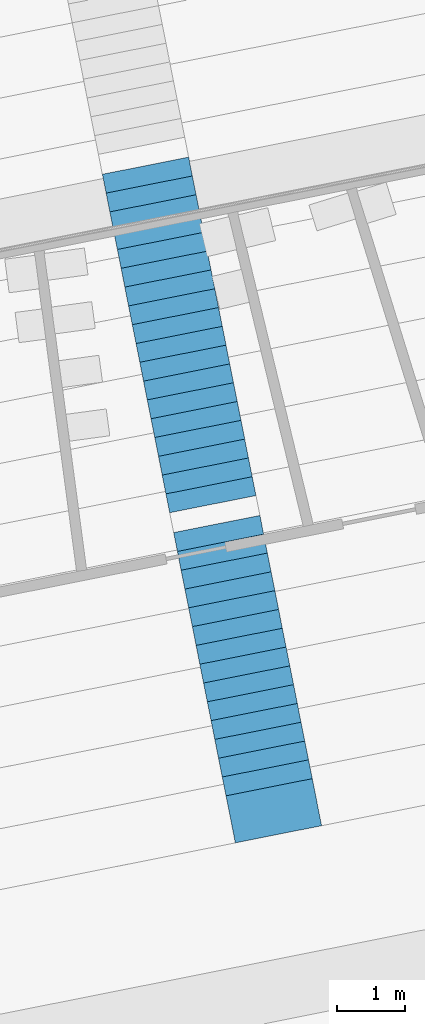
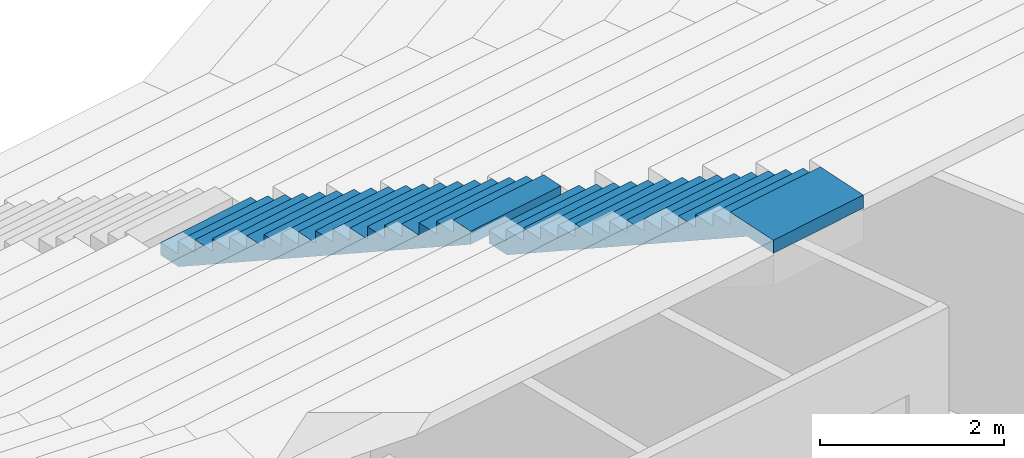
# One storey, part 156 of 249: 2 stair flights, 1 element without a shape of its own.
"""IFC4 building model written with IfcOpenShell, lengths in metres."""

from ifc_helpers import new_model, si_unit, direction, frame, origin, place, context, subcontext, project, spatial, faceted_brep, material, type_object, element, aggregate, save


model = new_model("IFC4")

# Units and contexts
model_context = context("Model", 3, precision=1e-05, world=origin(), true_north=direction((0.0, 1.0)))
body_context = subcontext(model_context, "Body", "Model", "MODEL_VIEW")
ifc_project = project(units=[si_unit("LENGTHUNIT", "METRE"), si_unit("AREAUNIT", "SQUARE_METRE"), si_unit("VOLUMEUNIT", "CUBIC_METRE"), si_unit("PLANEANGLEUNIT", "RADIAN"), si_unit("MASSUNIT", "GRAM", prefix="KILO")], contexts=[model_context])

# Site, building, storey
site_placement = place(None, origin())
site = spatial("IfcSite", under=ifc_project, at=site_placement, CompositionType="ELEMENT")
building_placement = place(site_placement, origin())
building = spatial("IfcBuilding", under=site, at=building_placement, Name="Ogive Plaza Stadium", CompositionType="ELEMENT")
storey_placement = place(building_placement, frame((0.0, 0.0, 13.5)))
storey = spatial("IfcBuildingStorey", under=building, at=storey_placement, Name="L03", CompositionType="ELEMENT", Elevation=13.5)

# Stair, stair flights
ifc_material_1 = material(Name="Concrete C40/50", Category="concrete")
stair_type = type_object("IfcStairType", Name="Aisle stair", PredefinedType="STRAIGHT_RUN_STAIR", material=ifc_material_1)
stair_placement = place(storey_placement, origin())
stair = element("IfcStair", 1, at=stair_placement, inside=storey, type_object=stair_type, Name="Aisle stair SA11U", PredefinedType="STRAIGHT_RUN_STAIR")
ifc_material_2 = material(Name="Concrete C40/50", Category="concrete")
stair_flight_type = type_object("IfcStairFlightType", Name="Aisle stair flight", PredefinedType="STRAIGHT", material=ifc_material_2)
stair_flight_1_placement = place(storey_placement, frame((39.248046875, -78.883056640625, 3.5), z_axis=(0.0, 0.0, 1.0), x_axis=(0.195090322016, -0.980785280403, 0.0)))
stair_flight_1 = element("IfcStairFlight", 2, at=stair_flight_1_placement, type_object=stair_flight_type, Name="SA11U flight 2", NumberOfRisers=18, NumberOfTreads=17, PredefinedType="STRAIGHT", RiserHeight=0.166666667, TreadLength=0.283333333, context=body_context, shape_type="Brep", body=[
    faceted_brep([(0.295654296875, -0.64990234375, 0.0), (5.10009765625, -0.64990234375, 2.826171875), (5.10009765625, -0.64990234375, 3.0), (4.816650390625, -0.64990234375, 3.0), (4.816650390625, -0.64990234375, 2.833251953125), (4.533447265625, -0.64990234375, 2.833251953125), (4.533447265625, -0.64990234375, 2.666748046875), (4.25, -0.64990234375, 2.666748046875), (4.25, -0.64990234375, 2.5), (3.966552734375, -0.64990234375, 2.5), (3.966552734375, -0.64990234375, 2.333251953125), (3.683349609375, -0.64990234375, 2.333251953125), (3.683349609375, -0.64990234375, 2.166748046875), (3.39990234375, -0.64990234375, 2.166748046875), (3.39990234375, -0.64990234375, 2.0), (3.11669921875, -0.64990234375, 2.0), (3.11669921875, -0.64990234375, 1.833251953125), (2.833251953125, -0.64990234375, 1.833251953125), (2.833251953125, -0.64990234375, 1.666748046875), (2.550048828125, -0.64990234375, 1.666748046875), (2.550048828125, -0.64990234375, 1.5), (2.2666015625, -0.64990234375, 1.5), (2.2666015625, -0.64990234375, 1.333251953125), (1.9833984375, -0.64990234375, 1.333251953125), (1.9833984375, -0.64990234375, 1.166748046875), (1.699951171875, -0.64990234375, 1.166748046875), (1.699951171875, -0.64990234375, 1.0), (1.416748046875, -0.64990234375, 1.0), (1.416748046875, -0.64990234375, 0.833251953125), (1.13330078125, -0.64990234375, 0.833251953125), (1.13330078125, -0.64990234375, 0.666748046875), (0.85009765625, -0.64990234375, 0.666748046875), (0.85009765625, -0.64990234375, 0.5), (0.566650390625, -0.64990234375, 0.5), (0.566650390625, -0.64990234375, 0.333251953125), (0.283447265625, -0.64990234375, 0.333251953125), (0.283447265625, -0.64990234375, 0.166748046875), (0.0, -0.64990234375, 0.166748046875), (0.0, -0.64990234375, 0.0), (0.0, 0.64990234375, 0.0), (0.0, 0.64990234375, 0.166748046875), (0.283447265625, 0.64990234375, 0.166748046875), (0.283447265625, 0.64990234375, 0.333251953125), (0.566650390625, 0.64990234375, 0.333251953125), (0.566650390625, 0.64990234375, 0.5), (0.85009765625, 0.64990234375, 0.5), (0.85009765625, 0.64990234375, 0.666748046875), (1.13330078125, 0.64990234375, 0.666748046875), (1.13330078125, 0.64990234375, 0.833251953125), (1.416748046875, 0.64990234375, 0.833251953125), (1.416748046875, 0.64990234375, 1.0), (1.699951171875, 0.64990234375, 1.0), (1.699951171875, 0.64990234375, 1.166748046875), (1.9833984375, 0.64990234375, 1.166748046875), (1.9833984375, 0.64990234375, 1.333251953125), (2.2666015625, 0.64990234375, 1.333251953125), (2.2666015625, 0.64990234375, 1.5), (2.550048828125, 0.64990234375, 1.5), (2.550048828125, 0.64990234375, 1.666748046875), (2.833251953125, 0.64990234375, 1.666748046875), (2.833251953125, 0.64990234375, 1.833251953125), (3.11669921875, 0.64990234375, 1.833251953125), (3.11669921875, 0.64990234375, 2.0), (3.39990234375, 0.64990234375, 2.0), (3.39990234375, 0.64990234375, 2.166748046875), (3.683349609375, 0.64990234375, 2.166748046875), (3.683349609375, 0.64990234375, 2.333251953125), (3.966552734375, 0.64990234375, 2.333251953125), (3.966552734375, 0.64990234375, 2.5), (4.25, 0.64990234375, 2.5), (4.25, 0.64990234375, 2.666748046875), (4.533447265625, 0.64990234375, 2.666748046875), (4.533447265625, 0.64990234375, 2.833251953125), (4.816650390625, 0.64990234375, 2.833251953125), (4.816650390625, 0.64990234375, 3.0), (5.10009765625, 0.64990234375, 3.0), (5.10009765625, 0.64990234375, 2.826171875), (0.295654296875, 0.64990234375, 0.0), (0.295654296875, -0.324951171875, 0.0), (5.10009765625, -0.324951171875, 2.826171875), (0.295654296875, 0.0, 0.0), (5.10009765625, 0.0, 2.826171875), (0.295654296875, 0.324951171875, 0.0), (5.10009765625, 0.324951171875, 2.826171875), (5.10009765625, -0.324951171875, 3.0), (5.10009765625, 0.0, 3.0), (5.10009765625, 0.324951171875, 3.0), (4.816650390625, -0.324951171875, 3.0), (4.816650390625, 0.0, 3.0), (4.816650390625, 0.324951171875, 3.0), (4.816650390625, -0.324951171875, 2.833251953125), (4.816650390625, 0.0, 2.833251953125), (4.816650390625, 0.324951171875, 2.833251953125), (4.533447265625, -0.324951171875, 2.833251953125), (4.533447265625, 0.0, 2.833251953125), (4.533447265625, 0.324951171875, 2.833251953125), (4.533447265625, -0.324951171875, 2.666748046875), (4.533447265625, 0.0, 2.666748046875), (4.533447265625, 0.324951171875, 2.666748046875), (4.25, -0.324951171875, 2.666748046875), (4.25, 0.0, 2.666748046875), (4.25, 0.324951171875, 2.666748046875), (4.25, -0.324951171875, 2.5), (4.25, 0.0, 2.5), (4.25, 0.324951171875, 2.5), (3.966552734375, -0.324951171875, 2.5), (3.966552734375, 0.0, 2.5), (3.966552734375, 0.324951171875, 2.5), (3.966552734375, -0.324951171875, 2.333251953125), (3.966552734375, 0.0, 2.333251953125), (3.966552734375, 0.324951171875, 2.333251953125), (3.683349609375, -0.324951171875, 2.333251953125), (3.683349609375, 0.0, 2.333251953125), (3.683349609375, 0.324951171875, 2.333251953125), (3.683349609375, -0.324951171875, 2.166748046875), (3.683349609375, 0.0, 2.166748046875), (3.683349609375, 0.324951171875, 2.166748046875), (3.39990234375, -0.324951171875, 2.166748046875), (3.39990234375, 0.0, 2.166748046875), (3.39990234375, 0.324951171875, 2.166748046875), (3.39990234375, -0.324951171875, 2.0), (3.39990234375, 0.0, 2.0), (3.39990234375, 0.324951171875, 2.0), (3.11669921875, -0.324951171875, 2.0), (3.11669921875, 0.0, 2.0), (3.11669921875, 0.324951171875, 2.0), (3.11669921875, -0.324951171875, 1.833251953125), (3.11669921875, 0.0, 1.833251953125), (3.11669921875, 0.324951171875, 1.833251953125), (2.833251953125, -0.324951171875, 1.833251953125), (2.833251953125, 0.0, 1.833251953125), (2.833251953125, 0.324951171875, 1.833251953125), (2.833251953125, -0.324951171875, 1.666748046875), (2.833251953125, 0.0, 1.666748046875), (2.833251953125, 0.324951171875, 1.666748046875), (2.550048828125, -0.324951171875, 1.666748046875), (2.550048828125, 0.0, 1.666748046875), (2.550048828125, 0.324951171875, 1.666748046875), (2.550048828125, -0.324951171875, 1.5), (2.550048828125, 0.0, 1.5), (2.550048828125, 0.324951171875, 1.5), (2.2666015625, -0.324951171875, 1.5), (2.2666015625, 0.0, 1.5), (2.2666015625, 0.324951171875, 1.5), (2.2666015625, -0.324951171875, 1.333251953125), (2.2666015625, 0.0, 1.333251953125), (2.2666015625, 0.324951171875, 1.333251953125), (1.9833984375, -0.324951171875, 1.333251953125), (1.9833984375, 0.0, 1.333251953125), (1.9833984375, 0.324951171875, 1.333251953125), (1.9833984375, -0.324951171875, 1.166748046875), (1.9833984375, 0.0, 1.166748046875), (1.9833984375, 0.324951171875, 1.166748046875), (1.699951171875, -0.324951171875, 1.166748046875), (1.699951171875, 0.0, 1.166748046875), (1.699951171875, 0.324951171875, 1.166748046875), (1.699951171875, -0.324951171875, 1.0), (1.699951171875, 0.0, 1.0), (1.699951171875, 0.324951171875, 1.0), (1.416748046875, -0.324951171875, 1.0), (1.416748046875, 0.0, 1.0), (1.416748046875, 0.324951171875, 1.0), (1.416748046875, -0.324951171875, 0.833251953125), (1.416748046875, 0.0, 0.833251953125), (1.416748046875, 0.324951171875, 0.833251953125), (1.13330078125, -0.324951171875, 0.833251953125), (1.13330078125, 0.0, 0.833251953125), (1.13330078125, 0.324951171875, 0.833251953125), (1.13330078125, -0.324951171875, 0.666748046875), (1.13330078125, 0.0, 0.666748046875), (1.13330078125, 0.324951171875, 0.666748046875), (0.85009765625, -0.324951171875, 0.666748046875), (0.85009765625, 0.0, 0.666748046875), (0.85009765625, 0.324951171875, 0.666748046875), (0.85009765625, -0.324951171875, 0.5), (0.85009765625, 0.0, 0.5), (0.85009765625, 0.324951171875, 0.5), (0.566650390625, -0.324951171875, 0.5), (0.566650390625, 0.0, 0.5), (0.566650390625, 0.324951171875, 0.5), (0.566650390625, -0.324951171875, 0.333251953125), (0.566650390625, 0.0, 0.333251953125), (0.566650390625, 0.324951171875, 0.333251953125), (0.283447265625, -0.324951171875, 0.333251953125), (0.283447265625, 0.0, 0.333251953125), (0.283447265625, 0.324951171875, 0.333251953125), (0.283447265625, -0.324951171875, 0.166748046875), (0.283447265625, 0.0, 0.166748046875), (0.283447265625, 0.324951171875, 0.166748046875), (0.0, -0.324951171875, 0.166748046875), (0.0, 0.0, 0.166748046875), (0.0, 0.324951171875, 0.166748046875), (0.0, -0.324951171875, 0.0), (0.0, 0.0, 0.0), (0.0, 0.324951171875, 0.0)], [[[0, 1, 2, 3, 4, 5, 6, 7, 8, 9, 10, 11, 12, 13, 14, 15, 16, 17, 18, 19, 20, 21, 22, 23, 24, 25, 26, 27, 28, 29, 30, 31, 32, 33, 34, 35, 36, 37, 38]], [[39, 40, 41, 42, 43, 44, 45, 46, 47, 48, 49, 50, 51, 52, 53, 54, 55, 56, 57, 58, 59, 60, 61, 62, 63, 64, 65, 66, 67, 68, 69, 70, 71, 72, 73, 74, 75, 76, 77]], [[0, 78, 79, 1]], [[78, 80, 81, 79]], [[80, 82, 83, 81]], [[82, 77, 76, 83]], [[1, 79, 84, 2]], [[79, 81, 85, 84]], [[81, 83, 86, 85]], [[83, 76, 75, 86]], [[2, 84, 87, 3]], [[84, 85, 88, 87]], [[85, 86, 89, 88]], [[86, 75, 74, 89]], [[3, 87, 90, 4]], [[87, 88, 91, 90]], [[88, 89, 92, 91]], [[89, 74, 73, 92]], [[4, 90, 93, 5]], [[90, 91, 94, 93]], [[91, 92, 95, 94]], [[92, 73, 72, 95]], [[5, 93, 96, 6]], [[93, 94, 97, 96]], [[94, 95, 98, 97]], [[95, 72, 71, 98]], [[6, 96, 99, 7]], [[96, 97, 100, 99]], [[97, 98, 101, 100]], [[98, 71, 70, 101]], [[7, 99, 102, 8]], [[99, 100, 103, 102]], [[100, 101, 104, 103]], [[101, 70, 69, 104]], [[8, 102, 105, 9]], [[102, 103, 106, 105]], [[103, 104, 107, 106]], [[104, 69, 68, 107]], [[9, 105, 108, 10]], [[105, 106, 109, 108]], [[106, 107, 110, 109]], [[107, 68, 67, 110]], [[10, 108, 111, 11]], [[108, 109, 112, 111]], [[109, 110, 113, 112]], [[110, 67, 66, 113]], [[11, 111, 114, 12]], [[111, 112, 115, 114]], [[112, 113, 116, 115]], [[113, 66, 65, 116]], [[12, 114, 117, 13]], [[114, 115, 118, 117]], [[115, 116, 119, 118]], [[116, 65, 64, 119]], [[13, 117, 120, 14]], [[117, 118, 121, 120]], [[118, 119, 122, 121]], [[119, 64, 63, 122]], [[14, 120, 123, 15]], [[120, 121, 124, 123]], [[121, 122, 125, 124]], [[122, 63, 62, 125]], [[15, 123, 126, 16]], [[123, 124, 127, 126]], [[124, 125, 128, 127]], [[125, 62, 61, 128]], [[16, 126, 129, 17]], [[126, 127, 130, 129]], [[127, 128, 131, 130]], [[128, 61, 60, 131]], [[17, 129, 132, 18]], [[129, 130, 133, 132]], [[130, 131, 134, 133]], [[131, 60, 59, 134]], [[18, 132, 135, 19]], [[132, 133, 136, 135]], [[133, 134, 137, 136]], [[134, 59, 58, 137]], [[19, 135, 138, 20]], [[135, 136, 139, 138]], [[136, 137, 140, 139]], [[137, 58, 57, 140]], [[20, 138, 141, 21]], [[138, 139, 142, 141]], [[139, 140, 143, 142]], [[140, 57, 56, 143]], [[21, 141, 144, 22]], [[141, 142, 145, 144]], [[142, 143, 146, 145]], [[143, 56, 55, 146]], [[22, 144, 147, 23]], [[144, 145, 148, 147]], [[145, 146, 149, 148]], [[146, 55, 54, 149]], [[23, 147, 150, 24]], [[147, 148, 151, 150]], [[148, 149, 152, 151]], [[149, 54, 53, 152]], [[24, 150, 153, 25]], [[150, 151, 154, 153]], [[151, 152, 155, 154]], [[152, 53, 52, 155]], [[25, 153, 156, 26]], [[153, 154, 157, 156]], [[154, 155, 158, 157]], [[155, 52, 51, 158]], [[26, 156, 159, 27]], [[156, 157, 160, 159]], [[157, 158, 161, 160]], [[158, 51, 50, 161]], [[27, 159, 162, 28]], [[159, 160, 163, 162]], [[160, 161, 164, 163]], [[161, 50, 49, 164]], [[28, 162, 165, 29]], [[162, 163, 166, 165]], [[163, 164, 167, 166]], [[164, 49, 48, 167]], [[29, 165, 168, 30]], [[165, 166, 169, 168]], [[166, 167, 170, 169]], [[167, 48, 47, 170]], [[30, 168, 171, 31]], [[168, 169, 172, 171]], [[169, 170, 173, 172]], [[170, 47, 46, 173]], [[31, 171, 174, 32]], [[171, 172, 175, 174]], [[172, 173, 176, 175]], [[173, 46, 45, 176]], [[32, 174, 177, 33]], [[174, 175, 178, 177]], [[175, 176, 179, 178]], [[176, 45, 44, 179]], [[33, 177, 180, 34]], [[177, 178, 181, 180]], [[178, 179, 182, 181]], [[179, 44, 43, 182]], [[34, 180, 183, 35]], [[180, 181, 184, 183]], [[181, 182, 185, 184]], [[182, 43, 42, 185]], [[35, 183, 186, 36]], [[183, 184, 187, 186]], [[184, 185, 188, 187]], [[185, 42, 41, 188]], [[36, 186, 189, 37]], [[186, 187, 190, 189]], [[187, 188, 191, 190]], [[188, 41, 40, 191]], [[37, 189, 192, 38]], [[189, 190, 193, 192]], [[190, 191, 194, 193]], [[191, 40, 39, 194]], [[38, 192, 78, 0]], [[192, 193, 80, 78]], [[193, 194, 82, 80]], [[194, 39, 77, 82]]]),
])
stair_flight_2_placement = place(storey_placement, frame((40.301513671875, -84.179443359375, 6.5), z_axis=(0.0, 0.0, 1.0), x_axis=(0.195090322016, -0.980785280403, 0.0)))
stair_flight_2 = element("IfcStairFlight", 3, at=stair_flight_2_placement, type_object=stair_flight_type, Name="SA11U flight 3", NumberOfRisers=15, NumberOfTreads=14, PredefinedType="STRAIGHT", RiserHeight=0.166666667, TreadLength=0.283333333, context=body_context, shape_type="Brep", body=[
    faceted_brep([(0.295654296875, -0.64990234375, 0.0), (4.25, -0.64990234375, 2.326171875), (4.675537109375, -0.64990234375, 2.326171875), (4.675537109375, -0.64990234375, 2.5), (3.966552734375, -0.64990234375, 2.5), (3.966552734375, -0.64990234375, 2.333251953125), (3.683349609375, -0.64990234375, 2.333251953125), (3.683349609375, -0.64990234375, 2.166748046875), (3.39990234375, -0.64990234375, 2.166748046875), (3.39990234375, -0.64990234375, 2.0), (3.11669921875, -0.64990234375, 2.0), (3.11669921875, -0.64990234375, 1.833251953125), (2.833251953125, -0.64990234375, 1.833251953125), (2.833251953125, -0.64990234375, 1.666748046875), (2.550048828125, -0.64990234375, 1.666748046875), (2.550048828125, -0.64990234375, 1.5), (2.2666015625, -0.64990234375, 1.5), (2.2666015625, -0.64990234375, 1.333251953125), (1.9833984375, -0.64990234375, 1.333251953125), (1.9833984375, -0.64990234375, 1.166748046875), (1.699951171875, -0.64990234375, 1.166748046875), (1.699951171875, -0.64990234375, 1.0), (1.416748046875, -0.64990234375, 1.0), (1.416748046875, -0.64990234375, 0.833251953125), (1.13330078125, -0.64990234375, 0.833251953125), (1.13330078125, -0.64990234375, 0.666748046875), (0.85009765625, -0.64990234375, 0.666748046875), (0.85009765625, -0.64990234375, 0.5), (0.566650390625, -0.64990234375, 0.5), (0.566650390625, -0.64990234375, 0.333251953125), (0.283447265625, -0.64990234375, 0.333251953125), (0.283447265625, -0.64990234375, 0.166748046875), (0.0, -0.64990234375, 0.166748046875), (0.0, -0.64990234375, 0.0), (0.0, 0.64990234375, 0.0), (0.0, 0.64990234375, 0.166748046875), (0.283447265625, 0.64990234375, 0.166748046875), (0.283447265625, 0.64990234375, 0.333251953125), (0.566650390625, 0.64990234375, 0.333251953125), (0.566650390625, 0.64990234375, 0.5), (0.85009765625, 0.64990234375, 0.5), (0.85009765625, 0.64990234375, 0.666748046875), (1.13330078125, 0.64990234375, 0.666748046875), (1.13330078125, 0.64990234375, 0.833251953125), (1.416748046875, 0.64990234375, 0.833251953125), (1.416748046875, 0.64990234375, 1.0), (1.699951171875, 0.64990234375, 1.0), (1.699951171875, 0.64990234375, 1.166748046875), (1.9833984375, 0.64990234375, 1.166748046875), (1.9833984375, 0.64990234375, 1.333251953125), (2.2666015625, 0.64990234375, 1.333251953125), (2.2666015625, 0.64990234375, 1.5), (2.550048828125, 0.64990234375, 1.5), (2.550048828125, 0.64990234375, 1.666748046875), (2.833251953125, 0.64990234375, 1.666748046875), (2.833251953125, 0.64990234375, 1.833251953125), (3.11669921875, 0.64990234375, 1.833251953125), (3.11669921875, 0.64990234375, 2.0), (3.39990234375, 0.64990234375, 2.0), (3.39990234375, 0.64990234375, 2.166748046875), (3.683349609375, 0.64990234375, 2.166748046875), (3.683349609375, 0.64990234375, 2.333251953125), (3.966552734375, 0.64990234375, 2.333251953125), (3.966552734375, 0.64990234375, 2.5), (4.675537109375, 0.64990234375, 2.5), (4.675537109375, 0.64990234375, 2.326171875), (4.25, 0.64990234375, 2.326171875), (0.295654296875, 0.64990234375, 0.0), (0.295654296875, -0.324951171875, 0.0), (4.25, -0.324951171875, 2.326171875), (0.295654296875, 0.0, 0.0), (4.25, 0.0, 2.326171875), (0.295654296875, 0.324951171875, 0.0), (4.25, 0.324951171875, 2.326171875), (4.675537109375, -0.324951171875, 2.326171875), (4.675537109375, 0.0, 2.326171875), (4.675537109375, 0.324951171875, 2.326171875), (4.675537109375, -0.324951171875, 2.5), (4.675537109375, 0.0, 2.5), (4.675537109375, 0.324951171875, 2.5), (3.966552734375, -0.324951171875, 2.5), (3.966552734375, 0.0, 2.5), (3.966552734375, 0.324951171875, 2.5), (3.966552734375, -0.324951171875, 2.333251953125), (3.966552734375, 0.0, 2.333251953125), (3.966552734375, 0.324951171875, 2.333251953125), (3.683349609375, -0.324951171875, 2.333251953125), (3.683349609375, 0.0, 2.333251953125), (3.683349609375, 0.324951171875, 2.333251953125), (3.683349609375, -0.324951171875, 2.166748046875), (3.683349609375, 0.0, 2.166748046875), (3.683349609375, 0.324951171875, 2.166748046875), (3.39990234375, -0.324951171875, 2.166748046875), (3.39990234375, 0.0, 2.166748046875), (3.39990234375, 0.324951171875, 2.166748046875), (3.39990234375, -0.324951171875, 2.0), (3.39990234375, 0.0, 2.0), (3.39990234375, 0.324951171875, 2.0), (3.11669921875, -0.324951171875, 2.0), (3.11669921875, 0.0, 2.0), (3.11669921875, 0.324951171875, 2.0), (3.11669921875, -0.324951171875, 1.833251953125), (3.11669921875, 0.0, 1.833251953125), (3.11669921875, 0.324951171875, 1.833251953125), (2.833251953125, -0.324951171875, 1.833251953125), (2.833251953125, 0.0, 1.833251953125), (2.833251953125, 0.324951171875, 1.833251953125), (2.833251953125, -0.324951171875, 1.666748046875), (2.833251953125, 0.0, 1.666748046875), (2.833251953125, 0.324951171875, 1.666748046875), (2.550048828125, -0.324951171875, 1.666748046875), (2.550048828125, 0.0, 1.666748046875), (2.550048828125, 0.324951171875, 1.666748046875), (2.550048828125, -0.324951171875, 1.5), (2.550048828125, 0.0, 1.5), (2.550048828125, 0.324951171875, 1.5), (2.2666015625, -0.324951171875, 1.5), (2.2666015625, 0.0, 1.5), (2.2666015625, 0.324951171875, 1.5), (2.2666015625, -0.324951171875, 1.333251953125), (2.2666015625, 0.0, 1.333251953125), (2.2666015625, 0.324951171875, 1.333251953125), (1.9833984375, -0.324951171875, 1.333251953125), (1.9833984375, 0.0, 1.333251953125), (1.9833984375, 0.324951171875, 1.333251953125), (1.9833984375, -0.324951171875, 1.166748046875), (1.9833984375, 0.0, 1.166748046875), (1.9833984375, 0.324951171875, 1.166748046875), (1.699951171875, -0.324951171875, 1.166748046875), (1.699951171875, 0.0, 1.166748046875), (1.699951171875, 0.324951171875, 1.166748046875), (1.699951171875, -0.324951171875, 1.0), (1.699951171875, 0.0, 1.0), (1.699951171875, 0.324951171875, 1.0), (1.416748046875, -0.324951171875, 1.0), (1.416748046875, 0.0, 1.0), (1.416748046875, 0.324951171875, 1.0), (1.416748046875, -0.324951171875, 0.833251953125), (1.416748046875, 0.0, 0.833251953125), (1.416748046875, 0.324951171875, 0.833251953125), (1.13330078125, -0.324951171875, 0.833251953125), (1.13330078125, 0.0, 0.833251953125), (1.13330078125, 0.324951171875, 0.833251953125), (1.13330078125, -0.324951171875, 0.666748046875), (1.13330078125, 0.0, 0.666748046875), (1.13330078125, 0.324951171875, 0.666748046875), (0.85009765625, -0.324951171875, 0.666748046875), (0.85009765625, 0.0, 0.666748046875), (0.85009765625, 0.324951171875, 0.666748046875), (0.85009765625, -0.324951171875, 0.5), (0.85009765625, 0.0, 0.5), (0.85009765625, 0.324951171875, 0.5), (0.566650390625, -0.324951171875, 0.5), (0.566650390625, 0.0, 0.5), (0.566650390625, 0.324951171875, 0.5), (0.566650390625, -0.324951171875, 0.333251953125), (0.566650390625, 0.0, 0.333251953125), (0.566650390625, 0.324951171875, 0.333251953125), (0.283447265625, -0.324951171875, 0.333251953125), (0.283447265625, 0.0, 0.333251953125), (0.283447265625, 0.324951171875, 0.333251953125), (0.283447265625, -0.324951171875, 0.166748046875), (0.283447265625, 0.0, 0.166748046875), (0.283447265625, 0.324951171875, 0.166748046875), (0.0, -0.324951171875, 0.166748046875), (0.0, 0.0, 0.166748046875), (0.0, 0.324951171875, 0.166748046875), (0.0, -0.324951171875, 0.0), (0.0, 0.0, 0.0), (0.0, 0.324951171875, 0.0)], [[[0, 1, 2, 3, 4, 5, 6, 7, 8, 9, 10, 11, 12, 13, 14, 15, 16, 17, 18, 19, 20, 21, 22, 23, 24, 25, 26, 27, 28, 29, 30, 31, 32, 33]], [[34, 35, 36, 37, 38, 39, 40, 41, 42, 43, 44, 45, 46, 47, 48, 49, 50, 51, 52, 53, 54, 55, 56, 57, 58, 59, 60, 61, 62, 63, 64, 65, 66, 67]], [[0, 68, 69, 1]], [[68, 70, 71, 69]], [[70, 72, 73, 71]], [[72, 67, 66, 73]], [[1, 69, 74, 2]], [[69, 71, 75, 74]], [[71, 73, 76, 75]], [[73, 66, 65, 76]], [[2, 74, 77, 3]], [[74, 75, 78, 77]], [[75, 76, 79, 78]], [[76, 65, 64, 79]], [[3, 77, 80, 4]], [[77, 78, 81, 80]], [[78, 79, 82, 81]], [[79, 64, 63, 82]], [[4, 80, 83, 5]], [[80, 81, 84, 83]], [[81, 82, 85, 84]], [[82, 63, 62, 85]], [[5, 83, 86, 6]], [[83, 84, 87, 86]], [[84, 85, 88, 87]], [[85, 62, 61, 88]], [[6, 86, 89, 7]], [[86, 87, 90, 89]], [[87, 88, 91, 90]], [[88, 61, 60, 91]], [[7, 89, 92, 8]], [[89, 90, 93, 92]], [[90, 91, 94, 93]], [[91, 60, 59, 94]], [[8, 92, 95, 9]], [[92, 93, 96, 95]], [[93, 94, 97, 96]], [[94, 59, 58, 97]], [[9, 95, 98, 10]], [[95, 96, 99, 98]], [[96, 97, 100, 99]], [[97, 58, 57, 100]], [[10, 98, 101, 11]], [[98, 99, 102, 101]], [[99, 100, 103, 102]], [[100, 57, 56, 103]], [[11, 101, 104, 12]], [[101, 102, 105, 104]], [[102, 103, 106, 105]], [[103, 56, 55, 106]], [[12, 104, 107, 13]], [[104, 105, 108, 107]], [[105, 106, 109, 108]], [[106, 55, 54, 109]], [[13, 107, 110, 14]], [[107, 108, 111, 110]], [[108, 109, 112, 111]], [[109, 54, 53, 112]], [[14, 110, 113, 15]], [[110, 111, 114, 113]], [[111, 112, 115, 114]], [[112, 53, 52, 115]], [[15, 113, 116, 16]], [[113, 114, 117, 116]], [[114, 115, 118, 117]], [[115, 52, 51, 118]], [[16, 116, 119, 17]], [[116, 117, 120, 119]], [[117, 118, 121, 120]], [[118, 51, 50, 121]], [[17, 119, 122, 18]], [[119, 120, 123, 122]], [[120, 121, 124, 123]], [[121, 50, 49, 124]], [[18, 122, 125, 19]], [[122, 123, 126, 125]], [[123, 124, 127, 126]], [[124, 49, 48, 127]], [[19, 125, 128, 20]], [[125, 126, 129, 128]], [[126, 127, 130, 129]], [[127, 48, 47, 130]], [[20, 128, 131, 21]], [[128, 129, 132, 131]], [[129, 130, 133, 132]], [[130, 47, 46, 133]], [[21, 131, 134, 22]], [[131, 132, 135, 134]], [[132, 133, 136, 135]], [[133, 46, 45, 136]], [[22, 134, 137, 23]], [[134, 135, 138, 137]], [[135, 136, 139, 138]], [[136, 45, 44, 139]], [[23, 137, 140, 24]], [[137, 138, 141, 140]], [[138, 139, 142, 141]], [[139, 44, 43, 142]], [[24, 140, 143, 25]], [[140, 141, 144, 143]], [[141, 142, 145, 144]], [[142, 43, 42, 145]], [[25, 143, 146, 26]], [[143, 144, 147, 146]], [[144, 145, 148, 147]], [[145, 42, 41, 148]], [[26, 146, 149, 27]], [[146, 147, 150, 149]], [[147, 148, 151, 150]], [[148, 41, 40, 151]], [[27, 149, 152, 28]], [[149, 150, 153, 152]], [[150, 151, 154, 153]], [[151, 40, 39, 154]], [[28, 152, 155, 29]], [[152, 153, 156, 155]], [[153, 154, 157, 156]], [[154, 39, 38, 157]], [[29, 155, 158, 30]], [[155, 156, 159, 158]], [[156, 157, 160, 159]], [[157, 38, 37, 160]], [[30, 158, 161, 31]], [[158, 159, 162, 161]], [[159, 160, 163, 162]], [[160, 37, 36, 163]], [[31, 161, 164, 32]], [[161, 162, 165, 164]], [[162, 163, 166, 165]], [[163, 36, 35, 166]], [[32, 164, 167, 33]], [[164, 165, 168, 167]], [[165, 166, 169, 168]], [[166, 35, 34, 169]], [[33, 167, 68, 0]], [[167, 168, 70, 68]], [[168, 169, 72, 70]], [[169, 34, 67, 72]]]),
])
aggregate(stair, [stair_flight_1, stair_flight_2])

save(model, "model.ifc")
